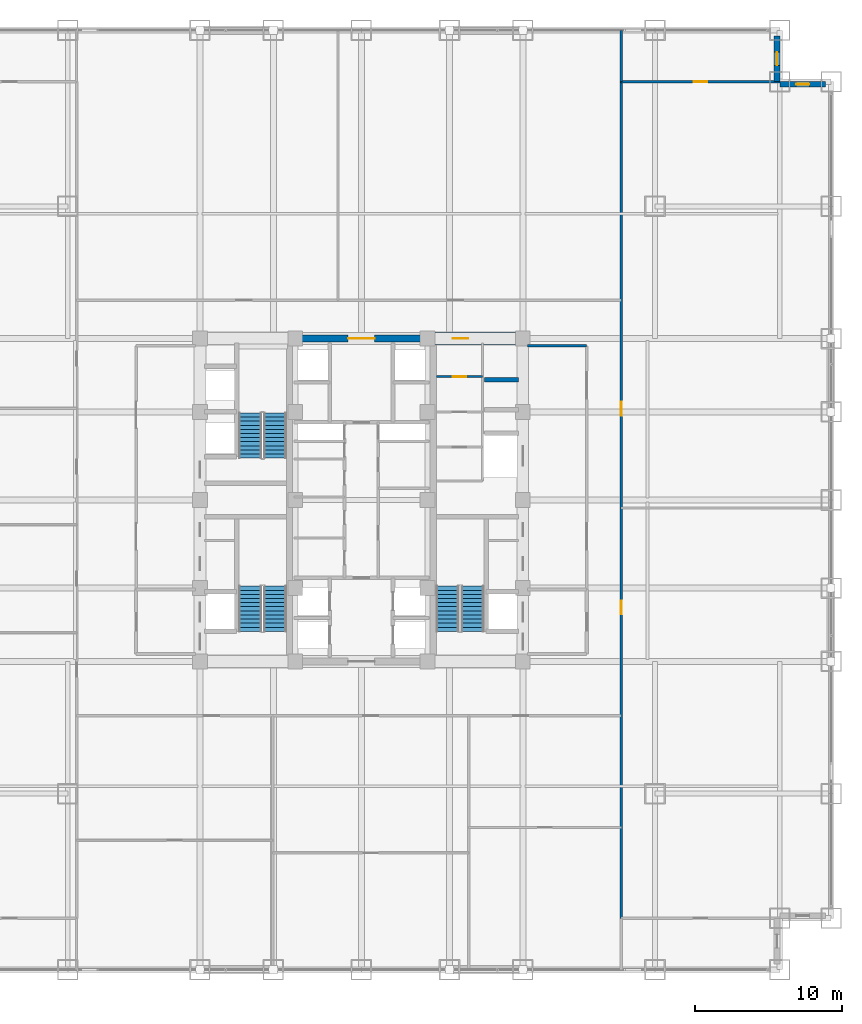
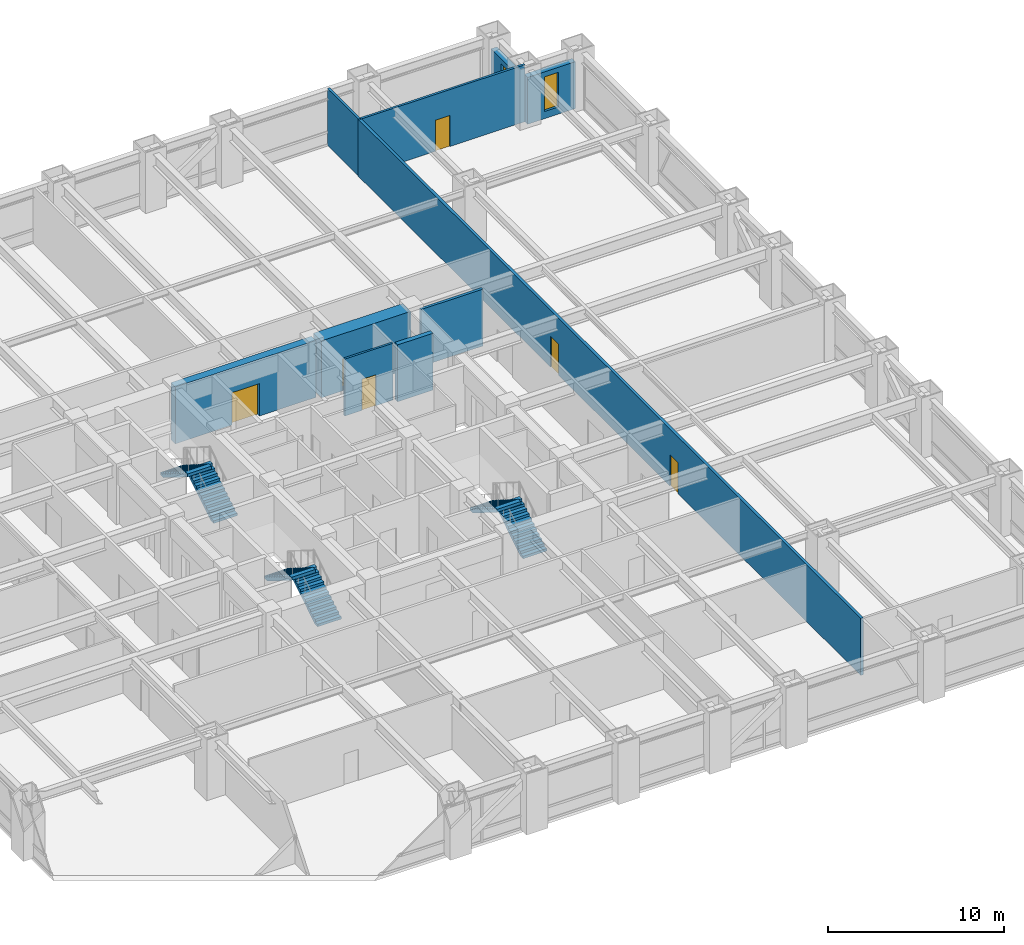
# One storey, part 27 of 28: 10 walls, 6 doors, 6 stair flights, 2 windows, 8 openings, 3 elements without a shape of their own.
"""IFC4 building model written with IfcOpenShell, lengths in metres."""

from ifc_helpers import new_model, si_unit, direction, frame, frame_2d, origin, place, context, subcontext, project, spatial, polyline, rectangle, outline, extrude, source, transform, mapped, material, layer, layer_set, type_object, element, fill, aggregate, save


model = new_model("IFC4")

# Units and contexts
model_context = context("Model", 3, precision=1e-05, world=origin(), true_north=direction((0.0, 1.0)))
body_context = subcontext(model_context, "Body", "Model", "MODEL_VIEW")
ifc_project = project(units=[si_unit("LENGTHUNIT", "METRE"), si_unit("AREAUNIT", "SQUARE_METRE"), si_unit("VOLUMEUNIT", "CUBIC_METRE"), si_unit("PLANEANGLEUNIT", "RADIAN"), si_unit("MASSUNIT", "GRAM", prefix="KILO")], contexts=[model_context])

# Site, building, storey
site_placement = place(None, origin())
site = spatial("IfcSite", under=ifc_project, at=site_placement, CompositionType="ELEMENT")
building_placement = place(site_placement, origin())
building = spatial("IfcBuilding", under=site, at=building_placement, Name="Khorayat Bourse Tower", CompositionType="ELEMENT")
storey_placement = place(building_placement, frame((0.0, 0.0, 57.800048828125)))
storey = spatial("IfcBuildingStorey", under=building, at=storey_placement, Name="L12", CompositionType="ELEMENT", Elevation=57.800048828125)

# Wall, opening, door
ifc_material_1 = material(Name="Concrete C72/90", Category="concrete")
ifc_layer_1 = layer(ifc_material_1, 0.89990234375)
ifc_layer_set_1 = layer_set([ifc_layer_1], Name="Concrete C72/90")
wall_type_1 = type_object("IfcWallType", Name="WAL-CORE-900", PredefinedType="SHEAR", material=ifc_layer_set_1)
shared_shape_1 = source(origin(), body_context, "Body", "SweptSolid", [
    extrude(rectangle(XDim=5.849853515625, YDim=0.89990234375, at=frame_2d((2.9248046875, 0.0))), origin(), (0.0, 0.0, 1.0), 3.93994140625),
])
wall_1_placement = place(storey_placement, frame((4.85009765625, 11.0, 0.0), z_axis=(0.0, 0.0, 1.0), x_axis=(1.0, 0.0, 0.0)))
wall_1 = element("IfcWall", 1, at=wall_1_placement, inside=storey, type_object=wall_type_1, Name="L12 Core Shear Wall PIER-EN", PredefinedType="SHEAR", context=body_context, shape_type="MappedRepresentation", body=[
    mapped(shared_shape_1, transform((0.0, 0.0, 0.0), scale=1.0)),
])
shared_shape_2 = source(origin(), body_context, "Body", "SweptSolid", [
    extrude(rectangle(XDim=1.050048828125, YDim=2.199951171875, at=frame_2d((0.52490234375, 1.10009765625))), frame((0.0, 0.4599609375, 0.0), z_axis=(0.0, -1.0, 0.0), x_axis=(1.0, 0.0, 0.0)), (0.0, 0.0, 1.0), 0.919921875),
])
opening_1_placement = place(wall_1_placement, frame((1.375, 0.0, 0.0)))
opening_1 = element("IfcOpeningElement", 2, at=opening_1_placement, cuts=wall_1, Name="Opening DI-04", PredefinedType="OPENING", context=body_context, shape_type="MappedRepresentation", body=[
    mapped(shared_shape_2, transform((0.0, 0.0, 0.0), scale=1.0)),
])
ifc_material_2 = material(Name="Fire-rated oak veneer suite entrance door")
door_type_1 = type_object("IfcDoorType", Name="DR-INT-SUITE-1050", OperationType="NOTDEFINED", PredefinedType="DOOR", material=ifc_material_2)
shared_shape_3 = source(origin(), body_context, "Body", "SweptSolid", [
    extrude(rectangle(XDim=1.050048828125, YDim=2.199951171875, at=frame_2d((0.52490234375, 1.10009765625))), frame((0.0, 0.02490234375, 0.0), z_axis=(0.0, -1.0, 0.0), x_axis=(1.0, 0.0, 0.0)), (0.0, 0.0, 1.0), 0.050048828125),
])
door_1_placement = place(opening_1_placement, origin())
door_1 = element("IfcDoor", 3, at=door_1_placement, inside=storey, type_object=door_type_1, Name="L12 Core Washroom Lobby Door", OperationType="SINGLE_SWING_LEFT", OverallHeight=2.199951171875, OverallWidth=1.050048828125, PredefinedType="DOOR", context=body_context, shape_type="MappedRepresentation", body=[
    mapped(shared_shape_3, transform((0.0, 0.0, 0.0), scale=1.0)),
])
fill(opening_1, door_1)

ifc_material_3 = material(Name="Concrete C52/65", Category="concrete")
ifc_layer_2 = layer(ifc_material_3, 0.5)
ifc_layer_set_2 = layer_set([ifc_layer_2], Name="Concrete C52/65")
wall_type_2 = type_object("IfcWallType", Name="WAL-CORE-500", PredefinedType="SHEAR", material=ifc_layer_set_2)
shared_shape_4 = source(origin(), body_context, "Body", "SweptSolid", [
    extrude(rectangle(XDim=9.2001953125, YDim=0.5, at=frame_2d((4.60009765625, 0.0))), origin(), (0.0, 0.0, 1.0), 3.93994140625),
])
wall_2_placement = place(storey_placement, frame((-4.60009765625, 11.0, 0.0), z_axis=(0.0, 0.0, 1.0), x_axis=(1.0, 0.0, 0.0)))
wall_2 = element("IfcWall", 4, at=wall_2_placement, inside=storey, type_object=wall_type_2, Name="L12 Core Shear Wall CORE-N", PredefinedType="SHEAR", context=body_context, shape_type="MappedRepresentation", body=[
    mapped(shared_shape_4, transform((0.0, 0.0, 0.0), scale=1.0)),
])
shared_shape_5 = source(origin(), body_context, "Body", "SweptSolid", [
    extrude(rectangle(XDim=1.800048828125, YDim=2.25, at=frame_2d((0.89990234375, 1.125))), frame((0.0, 0.260009765625, 0.0), z_axis=(0.0, -1.0, 0.0), x_axis=(1.0, 0.0, 0.0)), (0.0, 0.0, 1.0), 0.52001953125),
])
opening_2_placement = place(wall_2_placement, frame((3.699951171875, 0.0, 0.0)))
opening_2 = element("IfcOpeningElement", 5, at=opening_2_placement, cuts=wall_2, Name="Opening DI-03", PredefinedType="OPENING", context=body_context, shape_type="MappedRepresentation", body=[
    mapped(shared_shape_5, transform((0.0, 0.0, 0.0), scale=1.0)),
])
ifc_material_4 = material(Name="Fire-rated hardwood vision-panel double leaf", Category="wood")
door_type_2 = type_object("IfcDoorType", Name="DR-INT-CORR-1800", OperationType="NOTDEFINED", PredefinedType="DOOR", material=ifc_material_4)
shared_shape_6 = source(origin(), body_context, "Body", "SweptSolid", [
    extrude(rectangle(XDim=1.800048828125, YDim=2.25, at=frame_2d((0.89990234375, 1.125))), frame((0.0, 0.02490234375, 0.0), z_axis=(0.0, -1.0, 0.0), x_axis=(1.0, 0.0, 0.0)), (0.0, 0.0, 1.0), 0.050048828125),
])
door_2_placement = place(opening_2_placement, origin())
door_2 = element("IfcDoor", 6, at=door_2_placement, inside=storey, type_object=door_type_2, Name="L12 Mid-Rise Lift Lobby Door", OperationType="SINGLE_SWING_RIGHT", OverallHeight=2.25, OverallWidth=1.800048828125, PredefinedType="DOOR", context=body_context, shape_type="MappedRepresentation", body=[
    mapped(shared_shape_6, transform((0.0, 0.0, 0.0), scale=1.0)),
])
fill(opening_2, door_2)

# Wall, opening, window
ifc_material_5 = material(Name="Precast concrete C45/55", Category="concrete")
ifc_layer_3 = layer(ifc_material_5, 0.3798828125)
ifc_layer_set_3 = layer_set([ifc_layer_3], Name="Precast concrete C45/55")
wall_type_3 = type_object("IfcWallType", Name="WAL-EXT-STONE-380", PredefinedType="STANDARD", material=ifc_layer_set_3)
shared_shape_7 = source(origin(), body_context, "Body", "SweptSolid", [
    extrude(rectangle(XDim=3.1201171875, YDim=0.3798828125, at=frame_2d((1.56005859375, 0.0))), origin(), (0.0, 0.0, 1.0), 3.244873046875),
])
wall_3_placement = place(storey_placement, frame((28.5, 28.31005859375, 0.0), z_axis=(0.0, 0.0, 1.0), x_axis=(1.0, 0.0, 0.0)))
wall_3 = element("IfcWall", 7, at=wall_3_placement, inside=storey, type_object=wall_type_3, Name="L12 Re-Entrant Notch Limestone Wall NE-H", PredefinedType="STANDARD", context=body_context, shape_type="MappedRepresentation", body=[
    mapped(shared_shape_7, transform((0.0, 0.0, 0.0), scale=1.0)),
])
shared_shape_8 = source(origin(), body_context, "Body", "SweptSolid", [
    extrude(rectangle(XDim=0.89990234375, YDim=2.39990234375, at=frame_2d((0.449951171875, 1.199951171875))), frame((0.0, 0.199951171875, 0.0), z_axis=(0.0, -1.0, 0.0), x_axis=(1.0, 0.0, 0.0)), (0.0, 0.0, 1.0), 0.39990234375),
])
opening_3_placement = place(wall_3_placement, frame((1.110107421875, 0.0, 0.5)))
opening_3 = element("IfcOpeningElement", 8, at=opening_3_placement, cuts=wall_3, Name="Opening WN-03", PredefinedType="OPENING", context=body_context, shape_type="MappedRepresentation", body=[
    mapped(shared_shape_8, transform((0.0, 0.0, 0.0), scale=1.0)),
])
ifc_material_6 = material(Name="Deep-reveal solar-control double glazing", Category="glass")
window_type = type_object("IfcWindowType", Name="WIN-SLOT-900x2400", PartitioningType="SINGLE_PANEL", PredefinedType="WINDOW", material=ifc_material_6)
shared_shape_9 = source(origin(), body_context, "Body", "SweptSolid", [
    extrude(rectangle(XDim=0.89990234375, YDim=2.39990234375, at=frame_2d((0.449951171875, 1.199951171875))), frame((0.0, 0.030029296875, 0.0), z_axis=(0.0, -1.0, 0.0), x_axis=(1.0, 0.0, 0.0)), (0.0, 0.0, 1.0), 0.06005859375),
])
window_1_placement = place(opening_3_placement, origin())
window_1 = element("IfcWindow", 9, at=window_1_placement, inside=storey, type_object=window_type, Name="L12 Facade Window 1", OverallHeight=2.39990234375, OverallWidth=0.89990234375, PartitioningType="SINGLE_PANEL", PredefinedType="WINDOW", context=body_context, shape_type="MappedRepresentation", body=[
    mapped(shared_shape_9, transform((0.0, 0.0, 0.0), scale=1.0)),
])
fill(opening_3, window_1)

wall_4_placement = place(storey_placement, frame((28.31005859375, 28.5, 0.0), z_axis=(0.0, 0.0, 1.0), x_axis=(0.0, 1.0, 0.0)))
wall_4 = element("IfcWall", 10, at=wall_4_placement, inside=storey, type_object=wall_type_3, Name="L12 Re-Entrant Notch Limestone Wall NE-V", PredefinedType="STANDARD", context=body_context, shape_type="MappedRepresentation", body=[
    mapped(shared_shape_7, transform((0.0, 0.0, 0.0), scale=1.0)),
])
opening_4_placement = place(wall_4_placement, frame((1.110107421875, 0.0, 0.5)))
opening_4 = element("IfcOpeningElement", 11, at=opening_4_placement, cuts=wall_4, Name="Opening WN-03", PredefinedType="OPENING", context=body_context, shape_type="MappedRepresentation", body=[
    mapped(shared_shape_8, transform((0.0, 0.0, 0.0), scale=1.0)),
])
window_2_placement = place(opening_4_placement, origin())
window_2 = element("IfcWindow", 12, at=window_2_placement, inside=storey, type_object=window_type, Name="L12 Facade Window 1", OverallHeight=2.39990234375, OverallWidth=0.89990234375, PartitioningType="SINGLE_PANEL", PredefinedType="WINDOW", context=body_context, shape_type="MappedRepresentation", body=[
    mapped(shared_shape_9, transform((0.0, 0.0, 0.0), scale=1.0)),
])
fill(opening_4, window_2)

# Wall
ifc_material_7 = material(Name="Concrete C50/60", Category="concrete")
ifc_layer_4 = layer(ifc_material_7, 0.300048828125)
ifc_layer_set_4 = layer_set([ifc_layer_4], Name="Concrete C50/60")
wall_type_4 = type_object("IfcWallType", Name="WAL-SHAFT-300", PredefinedType="SHEAR", material=ifc_layer_set_4)
shared_shape_10 = source(origin(), body_context, "Body", "SweptSolid", [
    extrude(rectangle(XDim=2.300048828125, YDim=0.300048828125, at=frame_2d((1.14990234375, 0.0))), origin(), (0.0, 0.0, 1.0), 3.93994140625),
])
wall_5_placement = place(storey_placement, frame((8.39990234375, 8.199951171875, 0.0), z_axis=(0.0, 0.0, 1.0), x_axis=(1.0, 0.0, 0.0)))
element("IfcWall", 13, at=wall_5_placement, inside=storey, type_object=wall_type_4, Name="L12 Partition WAL-L12-EPIER-H34", PredefinedType="SHEAR", context=body_context, shape_type="MappedRepresentation", body=[
    mapped(shared_shape_10, transform((0.0, 0.0, 0.0), scale=1.0)),
])

# Wall, opening, door
ifc_material_8 = material(Name="Moisture-resistant masonry partition", Category="masonry")
ifc_layer_5 = layer(ifc_material_8, 0.139892578125)
ifc_layer_set_5 = layer_set([ifc_layer_5], Name="Moisture-resistant masonry partition")
wall_type_5 = type_object("IfcWallType", Name="WAL-PART-WET-140", PredefinedType="PARTITIONING", material=ifc_layer_set_5)
shared_shape_11 = source(origin(), body_context, "Body", "SweptSolid", [
    extrude(rectangle(XDim=3.14990234375, YDim=0.139892578125, at=frame_2d((1.574951171875, 0.0))), origin(), (0.0, 0.0, 1.0), 3.93994140625),
])
wall_6_placement = place(storey_placement, frame((5.10009765625, 8.39990234375, 0.0), z_axis=(0.0, 0.0, 1.0), x_axis=(1.0, 0.0, 0.0)))
wall_6 = element("IfcWall", 14, at=wall_6_placement, inside=storey, type_object=wall_type_5, Name="L12 Partition WAL-L12-ECW-TOP", PredefinedType="PARTITIONING", context=body_context, shape_type="MappedRepresentation", body=[
    mapped(shared_shape_11, transform((0.0, 0.0, 0.0), scale=1.0)),
])
shared_shape_12 = source(origin(), body_context, "Body", "SweptSolid", [
    extrude(rectangle(XDim=0.89990234375, YDim=2.14990234375, at=frame_2d((0.449951171875, 1.074951171875))), frame((0.0, 0.079833984375, 0.0), z_axis=(0.0, -1.0, 0.0), x_axis=(1.0, 0.0, 0.0)), (0.0, 0.0, 1.0), 0.159912109375),
])
opening_5_placement = place(wall_6_placement, frame((1.1298828125, 0.0, 0.0)))
opening_5 = element("IfcOpeningElement", 15, at=opening_5_placement, cuts=wall_6, Name="Opening DI-06", PredefinedType="OPENING", context=body_context, shape_type="MappedRepresentation", body=[
    mapped(shared_shape_12, transform((0.0, 0.0, 0.0), scale=1.0)),
])
ifc_material_9 = material(Name="Moisture-resistant laminate washroom door")
door_type_3 = type_object("IfcDoorType", Name="DR-INT-WC-900", OperationType="NOTDEFINED", PredefinedType="DOOR", material=ifc_material_9)
shared_shape_13 = source(origin(), body_context, "Body", "SweptSolid", [
    extrude(rectangle(XDim=0.89990234375, YDim=2.14990234375, at=frame_2d((0.449951171875, 1.074951171875))), frame((0.0, 0.02490234375, 0.0), z_axis=(0.0, -1.0, 0.0), x_axis=(1.0, 0.0, 0.0)), (0.0, 0.0, 1.0), 0.050048828125),
])
door_3_placement = place(opening_5_placement, origin())
door_3 = element("IfcDoor", 16, at=door_3_placement, inside=storey, type_object=door_type_3, Name="L12 Accessible WC Door", OperationType="SINGLE_SWING_LEFT", OverallHeight=2.14990234375, OverallWidth=0.89990234375, PredefinedType="DOOR", context=body_context, shape_type="MappedRepresentation", body=[
    mapped(shared_shape_13, transform((0.0, 0.0, 0.0), scale=1.0)),
])
fill(opening_5, door_3)

# Walls
ifc_material_10 = material(Name="Gypsum plasterboard acoustic stud wall")
ifc_layer_6 = layer(ifc_material_10, 0.179931640625)
ifc_layer_set_6 = layer_set([ifc_layer_6], Name="Gypsum plasterboard acoustic stud wall")
wall_type_6 = type_object("IfcWallType", Name="WAL-PART-CORR-180", PredefinedType="PARTITIONING", material=ifc_layer_set_6)
shared_shape_14 = source(origin(), body_context, "Body", "SweptSolid", [
    extrude(rectangle(XDim=4.050048828125, YDim=0.179931640625, at=frame_2d((2.02490234375, 0.0))), origin(), (0.0, 0.0, 1.0), 3.93994140625),
])
wall_7_placement = place(storey_placement, frame((11.300048828125, 10.5, 0.0), z_axis=(0.0, 0.0, 1.0), x_axis=(1.0, 0.0, 0.0)))
element("IfcWall", 17, at=wall_7_placement, inside=storey, type_object=wall_type_6, Name="L12 Partition WAL-L12-ELOB-N", PredefinedType="PARTITIONING", context=body_context, shape_type="MappedRepresentation", body=[
    mapped(shared_shape_14, transform((0.0, 0.0, 0.0), scale=1.0)),
])
ifc_material_11 = material(Name="Gypsum plasterboard twin-frame partition")
ifc_layer_7 = layer(ifc_material_11, 0.14990234375)
ifc_layer_set_7 = layer_set([ifc_layer_7], Name="Gypsum plasterboard twin-frame partition")
wall_type_7 = type_object("IfcWallType", Name="WAL-PART-SUITE-150", PredefinedType="PARTITIONING", material=ifc_layer_set_7)
shared_shape_15 = source(origin(), body_context, "Body", "SweptSolid", [
    extrude(rectangle(XDim=3.5, YDim=0.14990234375, at=frame_2d((1.75, 0.0))), origin(), (0.0, 0.0, 1.0), 3.93994140625),
])
wall_8_placement = place(storey_placement, frame((17.699951171875, 28.5, 0.0), z_axis=(0.0, 0.0, 1.0), x_axis=(0.0, 1.0, 0.0)))
element("IfcWall", 18, at=wall_8_placement, inside=storey, type_object=wall_type_7, Name="L12 Partition WAL-L12-NCE-END", PredefinedType="PARTITIONING", context=body_context, shape_type="MappedRepresentation", body=[
    mapped(shared_shape_15, transform((0.0, 0.0, 0.0), scale=1.0)),
])

# Wall, openings, doors
shared_shape_16 = source(origin(), body_context, "Body", "SweptSolid", [
    extrude(rectangle(XDim=57.0, YDim=0.179931640625, at=frame_2d((28.5, 0.0))), origin(), (0.0, 0.0, 1.0), 3.93994140625),
])
wall_9_placement = place(storey_placement, frame((17.699951171875, -28.5, 0.0), z_axis=(0.0, 0.0, 1.0), x_axis=(0.0, 1.0, 0.0)))
wall_9 = element("IfcWall", 19, at=wall_9_placement, inside=storey, type_object=wall_type_6, Name="L12 Partition WAL-L12-ECORR", PredefinedType="PARTITIONING", context=body_context, shape_type="MappedRepresentation", body=[
    mapped(shared_shape_16, transform((0.0, 0.0, 0.0), scale=1.0)),
])
shared_shape_17 = source(origin(), body_context, "Body", "SweptSolid", [
    extrude(rectangle(XDim=0.949951171875, YDim=2.14990234375, at=frame_2d((0.47509765625, 1.074951171875))), frame((0.0, 0.099853515625, 0.0), z_axis=(0.0, -1.0, 0.0), x_axis=(1.0, 0.0, 0.0)), (0.0, 0.0, 1.0), 0.199951171875),
])
opening_6_placement = place(wall_9_placement, frame((20.699951171875, 0.0, 0.0)))
opening_6 = element("IfcOpeningElement", 20, at=opening_6_placement, cuts=wall_9, Name="Opening DI-05", PredefinedType="OPENING", context=body_context, shape_type="MappedRepresentation", body=[
    mapped(shared_shape_17, transform((0.0, 0.0, 0.0), scale=1.0)),
])
opening_7_placement = place(wall_9_placement, frame((34.25, 0.0, 0.0)))
opening_7 = element("IfcOpeningElement", 21, at=opening_7_placement, cuts=wall_9, Name="Opening DI-05", PredefinedType="OPENING", context=body_context, shape_type="MappedRepresentation", body=[
    mapped(shared_shape_17, transform((0.0, 0.0, 0.0), scale=1.0)),
])
ifc_material_12 = material(Name="Acoustic oak veneer office door")
door_type_4 = type_object("IfcDoorType", Name="DR-INT-OFFICE-950", OperationType="NOTDEFINED", PredefinedType="DOOR", material=ifc_material_12)
shared_shape_18 = source(origin(), body_context, "Body", "SweptSolid", [
    extrude(rectangle(XDim=0.949951171875, YDim=2.14990234375, at=frame_2d((0.47509765625, 1.074951171875))), frame((0.0, 0.02490234375, 0.0), z_axis=(0.0, -1.0, 0.0), x_axis=(1.0, 0.0, 0.0)), (0.0, 0.0, 1.0), 0.050048828125),
])
door_4_placement = place(opening_6_placement, origin())
door_4 = element("IfcDoor", 22, at=door_4_placement, inside=storey, type_object=door_type_4, Name="L12 Members Dining Room E1 Door", OperationType="SINGLE_SWING_RIGHT", OverallHeight=2.14990234375, OverallWidth=0.949951171875, PredefinedType="DOOR", context=body_context, shape_type="MappedRepresentation", body=[
    mapped(shared_shape_18, transform((0.0, 0.0, 0.0), scale=1.0)),
])
fill(opening_6, door_4)
door_5_placement = place(opening_7_placement, origin())
door_5 = element("IfcDoor", 23, at=door_5_placement, inside=storey, type_object=door_type_4, Name="L12 Quantitative Research Study E2 Door", OperationType="SINGLE_SWING_LEFT", OverallHeight=2.14990234375, OverallWidth=0.949951171875, PredefinedType="DOOR", context=body_context, shape_type="MappedRepresentation", body=[
    mapped(shared_shape_18, transform((0.0, 0.0, 0.0), scale=1.0)),
])
fill(opening_7, door_5)

# Wall, opening, door
shared_shape_19 = source(origin(), body_context, "Body", "SweptSolid", [
    extrude(rectangle(XDim=10.800048828125, YDim=0.14990234375, at=frame_2d((5.39990234375, 0.0))), origin(), (0.0, 0.0, 1.0), 3.93994140625),
])
wall_10_placement = place(storey_placement, frame((17.699951171875, 28.5, 0.0), z_axis=(0.0, 0.0, 1.0), x_axis=(1.0, 0.0, 0.0)))
wall_10 = element("IfcWall", 24, at=wall_10_placement, inside=storey, type_object=wall_type_7, Name="L12 Partition WAL-L12-CNE", PredefinedType="PARTITIONING", context=body_context, shape_type="MappedRepresentation", body=[
    mapped(shared_shape_19, transform((0.0, 0.0, 0.0), scale=1.0)),
])
shared_shape_20 = source(origin(), body_context, "Body", "SweptSolid", [
    extrude(rectangle(XDim=0.949951171875, YDim=2.14990234375, at=frame_2d((0.47509765625, 1.074951171875))), frame((0.0, 0.0849609375, 0.0), z_axis=(0.0, -1.0, 0.0), x_axis=(1.0, 0.0, 0.0)), (0.0, 0.0, 1.0), 0.169921875),
])
opening_8_placement = place(wall_10_placement, frame((4.925048828125, 0.0, 0.0)))
opening_8 = element("IfcOpeningElement", 25, at=opening_8_placement, cuts=wall_10, Name="Opening DI-05", PredefinedType="OPENING", context=body_context, shape_type="MappedRepresentation", body=[
    mapped(shared_shape_20, transform((0.0, 0.0, 0.0), scale=1.0)),
])
door_6_placement = place(opening_8_placement, origin())
door_6 = element("IfcDoor", 26, at=door_6_placement, inside=storey, type_object=door_type_4, Name="L12 North-East Corner Lounge Door", OperationType="SINGLE_SWING_LEFT", OverallHeight=2.14990234375, OverallWidth=0.949951171875, PredefinedType="DOOR", context=body_context, shape_type="MappedRepresentation", body=[
    mapped(shared_shape_18, transform((0.0, 0.0, 0.0), scale=1.0)),
])
fill(opening_8, door_6)

# Stair, stair flights
ifc_material_13 = material(Name="Concrete C40/50", Category="concrete")
stair_type = type_object("IfcStairType", Name="STR-CORE-1550", PredefinedType="HALF_TURN_STAIR", material=ifc_material_13)
stair_1_placement = place(storey_placement, origin())
stair_1 = element("IfcStair", 27, at=stair_1_placement, inside=storey, type_object=stair_type, Name="L12 Exit Stair ST-1", PredefinedType="HALF_TURN_STAIR")
stair_flight_type = type_object("IfcStairFlightType", Name="FLT-CORE-1550", PredefinedType="STRAIGHT", material=ifc_material_13)
shared_shape_21 = source(origin(), body_context, "Body", "SweptSolid", [
    extrude(outline(polyline([(0.0, 0.0), (0.0, 0.175048828125), (0.280029296875, 0.175048828125), (0.280029296875, 0.35009765625), (0.56005859375, 0.35009765625), (0.56005859375, 0.52490234375), (0.840087890625, 0.52490234375), (0.840087890625, 0.699951171875), (1.1201171875, 0.699951171875), (1.1201171875, 0.875), (1.39990234375, 0.875), (1.39990234375, 1.050048828125), (1.679931640625, 1.050048828125), (1.679931640625, 1.22509765625), (1.9599609375, 1.22509765625), (1.9599609375, 1.39990234375), (2.239990234375, 1.39990234375), (2.239990234375, 1.574951171875), (2.52001953125, 1.574951171875), (2.52001953125, 1.75), (2.800048828125, 1.75), (2.800048828125, 1.925048828125), (3.080078125, 1.925048828125), (3.080078125, 2.10009765625), (3.080078125, 1.712890625), (0.339599609375, 0.0), (0.0, 0.0)])), frame((0.0, 0.77490234375, 0.0), z_axis=(0.0, -1.0, 0.0), x_axis=(1.0, 0.0, 0.0)), (0.0, 0.0, 1.0), 1.550048828125),
])
stair_flight_1_placement = place(storey_placement, frame((-5.875, -8.949951171875, 0.0), z_axis=(0.0, 0.0, 1.0), x_axis=(0.0, 1.0, 0.0)))
stair_flight_1 = element("IfcStairFlight", 28, at=stair_flight_1_placement, type_object=stair_flight_type, Name="ST-1 flight 1", NumberOfRisers=12, NumberOfTreads=11, PredefinedType="STRAIGHT", RiserHeight=0.175, TreadLength=0.28, context=body_context, shape_type="MappedRepresentation", body=[
    mapped(shared_shape_21, transform((0.0, 0.0, 0.0), scale=1.0)),
])
stair_flight_2_placement = place(storey_placement, frame((-7.574951171875, -5.8701171875, 2.099853515625), z_axis=(0.0, 0.0, 1.0), x_axis=(0.0, -1.0, 0.0)))
stair_flight_2 = element("IfcStairFlight", 29, at=stair_flight_2_placement, type_object=stair_flight_type, Name="ST-1 flight 2", NumberOfRisers=12, NumberOfTreads=11, PredefinedType="STRAIGHT", RiserHeight=0.175, TreadLength=0.28, context=body_context, shape_type="MappedRepresentation", body=[
    mapped(shared_shape_21, transform((0.0, 0.0, 0.0), scale=1.0)),
])
aggregate(stair_1, [stair_flight_1, stair_flight_2])

stair_2_placement = place(storey_placement, origin())
stair_2 = element("IfcStair", 30, at=stair_2_placement, inside=storey, type_object=stair_type, Name="L12 Exit Stair ST-2", PredefinedType="HALF_TURN_STAIR")
stair_flight_3_placement = place(storey_placement, frame((-5.875, 2.85009765625, 0.0), z_axis=(0.0, 0.0, 1.0), x_axis=(0.0, 1.0, 0.0)))
stair_flight_3 = element("IfcStairFlight", 31, at=stair_flight_3_placement, type_object=stair_flight_type, Name="ST-2 flight 1", NumberOfRisers=12, NumberOfTreads=11, PredefinedType="STRAIGHT", RiserHeight=0.175, TreadLength=0.28, context=body_context, shape_type="MappedRepresentation", body=[
    mapped(shared_shape_21, transform((0.0, 0.0, 0.0), scale=1.0)),
])
stair_flight_4_placement = place(storey_placement, frame((-7.574951171875, 5.929931640625, 2.099853515625), z_axis=(0.0, 0.0, 1.0), x_axis=(0.0, -1.0, 0.0)))
stair_flight_4 = element("IfcStairFlight", 32, at=stair_flight_4_placement, type_object=stair_flight_type, Name="ST-2 flight 2", NumberOfRisers=12, NumberOfTreads=11, PredefinedType="STRAIGHT", RiserHeight=0.175, TreadLength=0.28, context=body_context, shape_type="MappedRepresentation", body=[
    mapped(shared_shape_21, transform((0.0, 0.0, 0.0), scale=1.0)),
])
aggregate(stair_2, [stair_flight_3, stair_flight_4])

stair_3_placement = place(storey_placement, origin())
stair_3 = element("IfcStair", 33, at=stair_3_placement, inside=storey, type_object=stair_type, Name="L12 Exit Stair ST-3", PredefinedType="HALF_TURN_STAIR")
stair_flight_5_placement = place(storey_placement, frame((7.574951171875, -8.949951171875, 0.0), z_axis=(0.0, 0.0, 1.0), x_axis=(0.0, 1.0, 0.0)))
stair_flight_5 = element("IfcStairFlight", 34, at=stair_flight_5_placement, type_object=stair_flight_type, Name="ST-3 flight 1", NumberOfRisers=12, NumberOfTreads=11, PredefinedType="STRAIGHT", RiserHeight=0.175, TreadLength=0.28, context=body_context, shape_type="MappedRepresentation", body=[
    mapped(shared_shape_21, transform((0.0, 0.0, 0.0), scale=1.0)),
])
stair_flight_6_placement = place(storey_placement, frame((5.875, -5.8701171875, 2.099853515625), z_axis=(0.0, 0.0, 1.0), x_axis=(0.0, -1.0, 0.0)))
stair_flight_6 = element("IfcStairFlight", 35, at=stair_flight_6_placement, type_object=stair_flight_type, Name="ST-3 flight 2", NumberOfRisers=12, NumberOfTreads=11, PredefinedType="STRAIGHT", RiserHeight=0.175, TreadLength=0.28, context=body_context, shape_type="MappedRepresentation", body=[
    mapped(shared_shape_21, transform((0.0, 0.0, 0.0), scale=1.0)),
])
aggregate(stair_3, [stair_flight_5, stair_flight_6])

save(model, "model.ifc")
